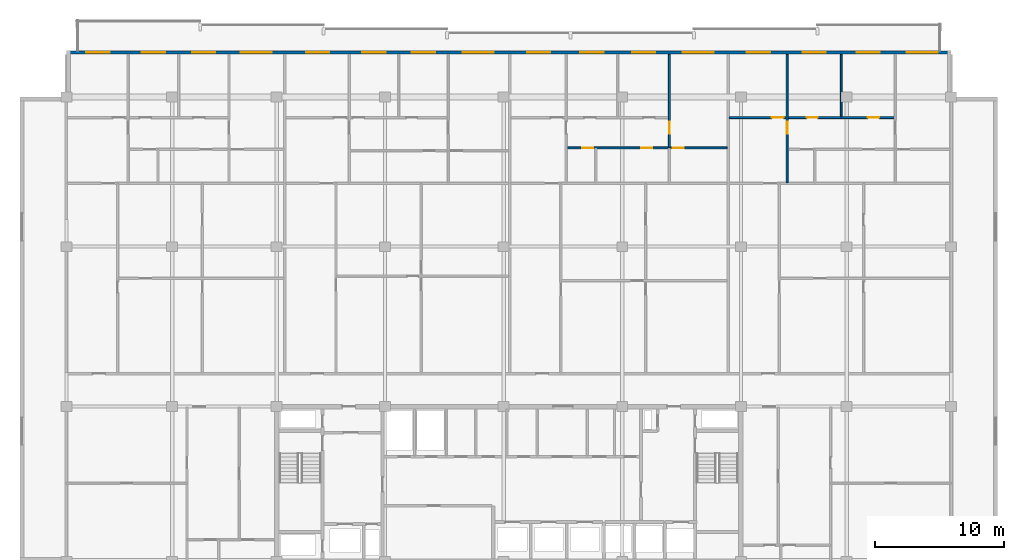
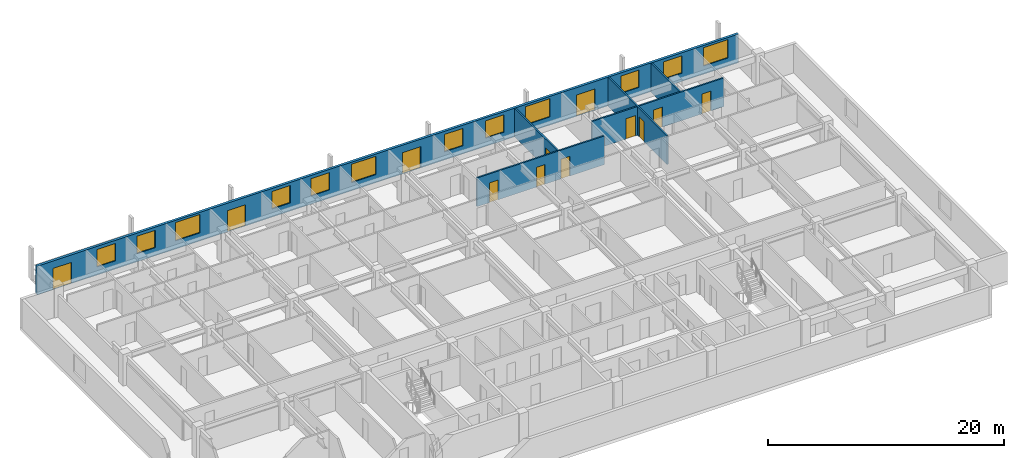
# One storey, part 16 of 23: 12 doors, 12 windows, 6 walls, 24 openings.
"""IFC4 building model written with IfcOpenShell, lengths in metres."""

import ifcopenshell
import ifcopenshell.guid

model = None  # the IFC model being written
_history = None  # IfcOwnerHistory: only IFC2X3 demands one
_inside = {}  # id of a spatial element -> (the spatial element, [elements in it])
_under = {}  # id of a project, library or spatial element -> (it, [spatial elements below it])
_declared = {}  # id of a project -> (the project, [libraries it declares])
_typed = {}  # id of a type object -> (the type object, [elements of that type])
_made_of = {}  # id of a material, layer set ... -> (it, [elements and type objects made of it])


def new_model(schema):
    """Start an empty IFC model of exactly this schema.

    Asked for "IFC4X3", IfcOpenShell would pick the latest addendum, in which some entities
    have other attributes; the version numbers below select the first issue.
    IFC2X3 requires an IfcOwnerHistory on every rooted entity: one is made here for all.
    """
    global model, _history
    if schema == "IFC4X3":
        model = ifcopenshell.file(schema_version=(4, 3, 0, 0))
    else:
        model = ifcopenshell.file(schema=schema)
    _inside.clear()
    _under.clear()
    _declared.clear()
    _typed.clear()
    _made_of.clear()
    _history = None
    if model.schema == "IFC2X3":
        org = make("IfcOrganization", Name="unknown")
        user = make(
            "IfcPersonAndOrganization",
            ThePerson=make("IfcPerson", FamilyName="unknown"),
            TheOrganization=org,
        )
        app = make(
            "IfcApplication",
            ApplicationDeveloper=org,
            Version="unknown",
            ApplicationFullName="unknown",
            ApplicationIdentifier="unknown",
        )
        _history = make(
            "IfcOwnerHistory",
            OwningUser=user,
            OwningApplication=app,
            ChangeAction="ADDED",
            CreationDate=0,
        )
    return model


def make(cls, **values):
    """One entity of the class cls with the attributes given. An attribute that is None is left unset."""
    return model.create_entity(
        cls, **{name: value for name, value in values.items() if value is not None}
    )


def rooted(cls, **values):
    """An entity with a GlobalId (a new one), such as an element, a storey or a relation."""
    return make(cls, GlobalId=ifcopenshell.guid.new(), OwnerHistory=_history, **values)


def si_unit(unit_type, name, prefix=None):
    """IfcSIUnit, for example si_unit("LENGTHUNIT", "METRE", prefix="MILLI")."""
    return make("IfcSIUnit", UnitType=unit_type, Prefix=prefix, Name=name)


def assignment(units):
    """IfcUnitAssignment: the units of a project."""
    return None if units is None else make("IfcUnitAssignment", Units=units)


def point(xyz):
    """IfcCartesianPoint."""
    return None if xyz is None else make("IfcCartesianPoint", Coordinates=xyz)


def direction(xyz):
    """IfcDirection."""
    return None if xyz is None else make("IfcDirection", DirectionRatios=xyz)


def frame(location, z_axis=None, x_axis=None):
    """IfcAxis2Placement3D, a coordinate frame: its origin and axes. An axis left out is left unset."""
    return make(
        "IfcAxis2Placement3D",
        Location=point(location),
        Axis=direction(z_axis),
        RefDirection=direction(x_axis),
    )


def frame_2d(location, x_axis=None):
    """IfcAxis2Placement2D, a coordinate frame in the plane: its origin and x axis."""
    return make(
        "IfcAxis2Placement2D", Location=point(location), RefDirection=direction(x_axis)
    )


def origin():
    """The frame at (0, 0, 0) with its axes left unset."""
    return frame((0.0, 0.0, 0.0))


def place(relative_to, where):
    """IfcLocalPlacement: puts the frame where relative to a parent placement (None: the world)."""
    return make(
        "IfcLocalPlacement", PlacementRelTo=relative_to, RelativePlacement=where
    )


def context(
    kind, dimensions, precision=None, world=None, true_north=None, identifier=None
):
    """IfcGeometricRepresentationContext, for example the 3D "Model" context."""
    return make(
        "IfcGeometricRepresentationContext",
        ContextIdentifier=identifier,
        ContextType=kind,
        CoordinateSpaceDimension=dimensions,
        Precision=precision,
        WorldCoordinateSystem=world,
        TrueNorth=true_north,
    )


def subcontext(parent, identifier, kind, view, scale=None):
    """IfcGeometricRepresentationSubContext, for example "Body" below "Model"."""
    return make(
        "IfcGeometricRepresentationSubContext",
        ContextIdentifier=identifier,
        ContextType=kind,
        ParentContext=parent,
        TargetScale=scale,
        TargetView=view,
    )


def project(units=None, contexts=None):
    """IfcProject with its units and contexts."""
    return rooted(
        "IfcProject",
        Name="project",
        RepresentationContexts=contexts,
        UnitsInContext=assignment(units),
    )


def spatial(cls, under=None, at=None, **own):
    """A site, building, storey or space (cls), placed at a placement, below another one or the project."""
    s = rooted(cls, ObjectPlacement=at, **own)
    if under is not None:
        _under.setdefault(under.id(), (under, []))[1].append(s)
    return s


def profile(cls, at=None, kind="AREA", **sizes):
    """A parametric profile (cls). Its sizes go by their IFC names, for example OverallWidth=200.0."""
    return make(cls, ProfileType=kind, Position=at, **sizes)


def rectangle(**sizes):
    """IfcRectangleProfileDef."""
    return profile("IfcRectangleProfileDef", **sizes)


def extrude(swept, where, along, depth):
    """IfcExtrudedAreaSolid: the profile swept, set in the frame where, extruded along a direction by depth."""
    return make(
        "IfcExtrudedAreaSolid",
        SweptArea=swept,
        Position=where,
        ExtrudedDirection=direction(along),
        Depth=depth,
    )


def shape(context_of_items, identifier, shape_type, items):
    """IfcShapeRepresentation: the items that make up one representation, for example the "Body"."""
    return make(
        "IfcShapeRepresentation",
        ContextOfItems=context_of_items,
        RepresentationIdentifier=identifier,
        RepresentationType=shape_type,
        Items=items,
    )


def material(Name=None, Category=None):
    """IfcMaterial."""
    return make("IfcMaterial", Name=Name, Category=Category)


def layer(
    of_material, thickness, ventilated=None, Name=None, Category=None, Priority=None
):
    """IfcMaterialLayer: one layer of a wall or slab, of a material (None: an air gap)."""
    return make(
        "IfcMaterialLayer",
        Material=of_material,
        LayerThickness=thickness,
        IsVentilated=ventilated,
        Name=Name,
        Category=Category,
        Priority=Priority,
    )


def layer_set(layers, Name=None):
    """IfcMaterialLayerSet."""
    return make("IfcMaterialLayerSet", MaterialLayers=layers, LayerSetName=Name)


def made_of(thing, what):
    """Note that an element or type object is made of a material, layer set ...; save() writes the relation."""
    if what is not None:
        _made_of.setdefault(what.id(), (what, []))[1].append(thing)
    return thing


def type_object(cls, material=None, **own):
    """A type object (cls), such as IfcWallType, which elements share."""
    return made_of(rooted(cls, **own), material)


def element(
    cls,
    number,
    at=None,
    inside=None,
    cuts=None,
    type_object=None,
    material=None,
    context=None,
    identifier="Body",
    shape_type=None,
    held_by="IfcProductDefinitionShape",
    body=None,
    shapes=None,
    **own,
):
    """One element of the class cls, such as IfcWall. Its Tag is "e" and its number.

    at: its placement. inside: the storey or other place that contains it. cuts: it is an
    opening in that element (IfcRelVoidsElement). A single representation is given by context,
    identifier, shape_type and body (its items); several are given by shapes. held_by: the class
    of the entity that holds the representations. save() writes the other relations.
    """
    e = rooted(cls, Tag="e%d" % number, ObjectPlacement=at, **own)
    if body is not None:
        shapes = [shape(context, identifier, shape_type, body)]
    if shapes is not None:
        e.Representation = make(held_by, Representations=shapes)
    if inside is not None:
        _inside.setdefault(inside.id(), (inside, []))[1].append(e)
    if cuts is not None:
        rooted(
            "IfcRelVoidsElement", RelatingBuildingElement=cuts, RelatedOpeningElement=e
        )
    if type_object is not None:
        _typed.setdefault(type_object.id(), (type_object, []))[1].append(e)
    return made_of(e, material)


def fill(opening, filler):
    """IfcRelFillsElement: the door or window that sits in an opening."""
    return rooted(
        "IfcRelFillsElement",
        RelatingOpeningElement=opening,
        RelatedBuildingElement=filler,
    )


def aggregate(whole, parts):
    """IfcRelAggregates: a whole, such as a stair, and the parts it consists of."""
    return rooted("IfcRelAggregates", RelatingObject=whole, RelatedObjects=parts)


def save(model, path):
    """Write the relations noted so far, then the file.

    IfcRelAggregates (storeys below a building ...), IfcRelContainedInSpatialStructure (elements
    in a storey), IfcRelDefinesByType, IfcRelAssociatesMaterial and IfcRelDeclares: one each for
    every whole, place, type object, material and project.
    """
    for whole, parts in _under.values():
        aggregate(whole, parts)
    for where, things in _inside.values():
        rooted(
            "IfcRelContainedInSpatialStructure",
            RelatedElements=things,
            RelatingStructure=where,
        )
    for kind, things in _typed.values():
        rooted("IfcRelDefinesByType", RelatedObjects=things, RelatingType=kind)
    for what, things in _made_of.values():
        rooted("IfcRelAssociatesMaterial", RelatedObjects=things, RelatingMaterial=what)
    for by, libraries in _declared.values():
        rooted("IfcRelDeclares", RelatingContext=by, RelatedDefinitions=libraries)
    model.write(path)


model = new_model("IFC4")

# Units and contexts
model_context = context("Model", 3, precision=1e-05, world=origin(), true_north=direction((0.0, 1.0)))
body_context = subcontext(model_context, "Body", "Model", "MODEL_VIEW")
ifc_project = project(units=[si_unit("LENGTHUNIT", "METRE"), si_unit("AREAUNIT", "SQUARE_METRE"), si_unit("VOLUMEUNIT", "CUBIC_METRE"), si_unit("PLANEANGLEUNIT", "RADIAN"), si_unit("MASSUNIT", "GRAM", prefix="KILO")], contexts=[model_context])

# Site, building, storey
site_placement = place(None, origin())
site = spatial("IfcSite", under=ifc_project, at=site_placement, CompositionType="ELEMENT")
building_placement = place(site_placement, origin())
building = spatial("IfcBuilding", under=site, at=building_placement, Name="Korimba Cascade Residences", CompositionType="ELEMENT")
storey_placement = place(building_placement, frame((0.0, 0.0, 162.10009765625)))
storey = spatial("IfcBuildingStorey", under=building, at=storey_placement, Name="L46", CompositionType="ELEMENT", Elevation=162.10009765625)

# Wall, openings, doors, windows
ifc_material_1 = material(Name="Precast concrete C40/50", Category="concrete")
ifc_layer_1 = layer(ifc_material_1, 0.25)
ifc_layer_set_1 = layer_set([ifc_layer_1], Name="Precast concrete C40/50")
wall_type_1 = type_object("IfcWallType", Name="EW-LOG-250", PredefinedType="STANDARD", material=ifc_layer_set_1)
wall_1_placement = place(storey_placement, frame((128.39990234375, 94.64990234375, 0.0), z_axis=(0.0, 0.0, 1.0), x_axis=(-1.0, 0.0, 0.0)))
wall_1 = element("IfcWall", 1, at=wall_1_placement, inside=storey, type_object=wall_type_1, Name="L46 T1 Perimeter Stone Wall E06", PredefinedType="STANDARD", context=body_context, shape_type="SweptSolid", body=[
    extrude(rectangle(XDim=68.599853515625, YDim=0.25, at=frame_2d((34.2998046875, 0.0))), origin(), (0.0, 0.0, 1.0), 2.969970703125),
])
opening_1_placement = place(wall_1_placement, frame((60.956298828125, 0.0, 0.85009765625)))
opening_1 = element("IfcOpeningElement", 2, at=opening_1_placement, cuts=wall_1, Name="Opening W-02", PredefinedType="OPENING", context=body_context, shape_type="SweptSolid", body=[
    extrude(rectangle(XDim=1.800048828125, YDim=1.800048828125, at=frame_2d((0.89990234375, 0.89990234375))), frame((0.0, 0.135009765625, 0.0), z_axis=(0.0, -1.0, 0.0), x_axis=(1.0, 0.0, 0.0)), (0.0, 0.0, 1.0), 0.27001953125),
])
opening_2_placement = place(wall_1_placement, frame((57.048583984375, 0.0, 0.85009765625)))
opening_2 = element("IfcOpeningElement", 3, at=opening_2_placement, cuts=wall_1, Name="Opening W-02", PredefinedType="OPENING", context=body_context, shape_type="SweptSolid", body=[
    extrude(rectangle(XDim=1.800048828125, YDim=1.800048828125, at=frame_2d((0.89990234375, 0.89990234375))), frame((0.0, 0.135009765625, 0.0), z_axis=(0.0, -1.0, 0.0), x_axis=(1.0, 0.0, 0.0)), (0.0, 0.0, 1.0), 0.27001953125),
])
opening_3_placement = place(wall_1_placement, frame((65.2451171875, 0.0, 0.0)))
opening_3 = element("IfcOpeningElement", 4, at=opening_3_placement, cuts=wall_1, Name="Opening D-LG1", PredefinedType="OPENING", context=body_context, shape_type="SweptSolid", body=[
    extrude(rectangle(XDim=1.800048828125, YDim=2.199951171875, at=frame_2d((0.89990234375, 1.10009765625))), frame((0.0, 0.135009765625, 0.0), z_axis=(0.0, -1.0, 0.0), x_axis=(1.0, 0.0, 0.0)), (0.0, 0.0, 1.0), 0.27001953125),
])
opening_4_placement = place(wall_1_placement, frame((52.68994140625, 0.0, 0.85009765625)))
opening_4 = element("IfcOpeningElement", 5, at=opening_4_placement, cuts=wall_1, Name="Opening W-01", PredefinedType="OPENING", context=body_context, shape_type="SweptSolid", body=[
    extrude(rectangle(XDim=2.39990234375, YDim=1.89990234375, at=frame_2d((1.199951171875, 0.949951171875))), frame((0.0, 0.135009765625, 0.0), z_axis=(0.0, -1.0, 0.0), x_axis=(1.0, 0.0, 0.0)), (0.0, 0.0, 1.0), 0.27001953125),
])
opening_5_placement = place(wall_1_placement, frame((43.847412109375, 0.0, 0.85009765625)))
opening_5 = element("IfcOpeningElement", 6, at=opening_5_placement, cuts=wall_1, Name="Opening W-02", PredefinedType="OPENING", context=body_context, shape_type="SweptSolid", body=[
    extrude(rectangle(XDim=1.800048828125, YDim=1.800048828125, at=frame_2d((0.89990234375, 0.89990234375))), frame((0.0, 0.135009765625, 0.0), z_axis=(0.0, -1.0, 0.0), x_axis=(1.0, 0.0, 0.0)), (0.0, 0.0, 1.0), 0.27001953125),
])
opening_6_placement = place(wall_1_placement, frame((40.012451171875, 0.0, 0.85009765625)))
opening_6 = element("IfcOpeningElement", 7, at=opening_6_placement, cuts=wall_1, Name="Opening W-02", PredefinedType="OPENING", context=body_context, shape_type="SweptSolid", body=[
    extrude(rectangle(XDim=1.800048828125, YDim=1.800048828125, at=frame_2d((0.89990234375, 0.89990234375))), frame((0.0, 0.135009765625, 0.0), z_axis=(0.0, -1.0, 0.0), x_axis=(1.0, 0.0, 0.0)), (0.0, 0.0, 1.0), 0.27001953125),
])
opening_7_placement = place(wall_1_placement, frame((48.204833984375, 0.0, 0.0)))
opening_7 = element("IfcOpeningElement", 8, at=opening_7_placement, cuts=wall_1, Name="Opening D-LG1", PredefinedType="OPENING", context=body_context, shape_type="SweptSolid", body=[
    extrude(rectangle(XDim=1.800048828125, YDim=2.199951171875, at=frame_2d((0.89990234375, 1.10009765625))), frame((0.0, 0.135009765625, 0.0), z_axis=(0.0, -1.0, 0.0), x_axis=(1.0, 0.0, 0.0)), (0.0, 0.0, 1.0), 0.27001953125),
])
opening_8_placement = place(wall_1_placement, frame((35.469970703125, 0.0, 0.85009765625)))
opening_8 = element("IfcOpeningElement", 9, at=opening_8_placement, cuts=wall_1, Name="Opening W-01", PredefinedType="OPENING", context=body_context, shape_type="SweptSolid", body=[
    extrude(rectangle(XDim=2.39990234375, YDim=1.89990234375, at=frame_2d((1.199951171875, 0.949951171875))), frame((0.0, 0.135009765625, 0.0), z_axis=(0.0, -1.0, 0.0), x_axis=(1.0, 0.0, 0.0)), (0.0, 0.0, 1.0), 0.27001953125),
])
opening_9_placement = place(wall_1_placement, frame((26.951416015625, 0.0, 0.85009765625)))
opening_9 = element("IfcOpeningElement", 10, at=opening_9_placement, cuts=wall_1, Name="Opening W-02", PredefinedType="OPENING", context=body_context, shape_type="SweptSolid", body=[
    extrude(rectangle(XDim=1.800048828125, YDim=1.800048828125, at=frame_2d((0.89990234375, 0.89990234375))), frame((0.0, 0.135009765625, 0.0), z_axis=(0.0, -1.0, 0.0), x_axis=(1.0, 0.0, 0.0)), (0.0, 0.0, 1.0), 0.27001953125),
])
opening_10_placement = place(wall_1_placement, frame((22.943603515625, 0.0, 0.85009765625)))
opening_10 = element("IfcOpeningElement", 11, at=opening_10_placement, cuts=wall_1, Name="Opening W-02", PredefinedType="OPENING", context=body_context, shape_type="SweptSolid", body=[
    extrude(rectangle(XDim=1.800048828125, YDim=1.800048828125, at=frame_2d((0.89990234375, 0.89990234375))), frame((0.0, 0.135009765625, 0.0), z_axis=(0.0, -1.0, 0.0), x_axis=(1.0, 0.0, 0.0)), (0.0, 0.0, 1.0), 0.27001953125),
])
opening_11_placement = place(wall_1_placement, frame((31.080078125, 0.0, 0.0)))
opening_11 = element("IfcOpeningElement", 12, at=opening_11_placement, cuts=wall_1, Name="Opening D-LG1", PredefinedType="OPENING", context=body_context, shape_type="SweptSolid", body=[
    extrude(rectangle(XDim=1.800048828125, YDim=2.199951171875, at=frame_2d((0.89990234375, 1.10009765625))), frame((0.0, 0.135009765625, 0.0), z_axis=(0.0, -1.0, 0.0), x_axis=(1.0, 0.0, 0.0)), (0.0, 0.0, 1.0), 0.27001953125),
])
opening_12_placement = place(wall_1_placement, frame((18.4248046875, 0.0, 0.85009765625)))
opening_12 = element("IfcOpeningElement", 13, at=opening_12_placement, cuts=wall_1, Name="Opening W-01", PredefinedType="OPENING", context=body_context, shape_type="SweptSolid", body=[
    extrude(rectangle(XDim=2.39990234375, YDim=1.89990234375, at=frame_2d((1.199951171875, 0.949951171875))), frame((0.0, 0.135009765625, 0.0), z_axis=(0.0, -1.0, 0.0), x_axis=(1.0, 0.0, 0.0)), (0.0, 0.0, 1.0), 0.27001953125),
])
opening_13_placement = place(wall_1_placement, frame((9.715087890625, 0.0, 0.85009765625)))
opening_13 = element("IfcOpeningElement", 14, at=opening_13_placement, cuts=wall_1, Name="Opening W-02", PredefinedType="OPENING", context=body_context, shape_type="SweptSolid", body=[
    extrude(rectangle(XDim=1.800048828125, YDim=1.800048828125, at=frame_2d((0.89990234375, 0.89990234375))), frame((0.0, 0.135009765625, 0.0), z_axis=(0.0, -1.0, 0.0), x_axis=(1.0, 0.0, 0.0)), (0.0, 0.0, 1.0), 0.27001953125),
])
opening_14_placement = place(wall_1_placement, frame((5.52490234375, 0.0, 0.85009765625)))
opening_14 = element("IfcOpeningElement", 15, at=opening_14_placement, cuts=wall_1, Name="Opening W-02", PredefinedType="OPENING", context=body_context, shape_type="SweptSolid", body=[
    extrude(rectangle(XDim=1.800048828125, YDim=1.800048828125, at=frame_2d((0.89990234375, 0.89990234375))), frame((0.0, 0.135009765625, 0.0), z_axis=(0.0, -1.0, 0.0), x_axis=(1.0, 0.0, 0.0)), (0.0, 0.0, 1.0), 0.27001953125),
])
opening_15_placement = place(wall_1_placement, frame((14.039794921875, 0.0, 0.0)))
opening_15 = element("IfcOpeningElement", 16, at=opening_15_placement, cuts=wall_1, Name="Opening D-LG1", PredefinedType="OPENING", context=body_context, shape_type="SweptSolid", body=[
    extrude(rectangle(XDim=1.800048828125, YDim=2.199951171875, at=frame_2d((0.89990234375, 1.10009765625))), frame((0.0, 0.135009765625, 0.0), z_axis=(0.0, -1.0, 0.0), x_axis=(1.0, 0.0, 0.0)), (0.0, 0.0, 1.0), 0.27001953125),
])
opening_16_placement = place(wall_1_placement, frame((1.02490234375, 0.0, 0.85009765625)))
opening_16 = element("IfcOpeningElement", 17, at=opening_16_placement, cuts=wall_1, Name="Opening W-01", PredefinedType="OPENING", context=body_context, shape_type="SweptSolid", body=[
    extrude(rectangle(XDim=2.39990234375, YDim=1.89990234375, at=frame_2d((1.199951171875, 0.949951171875))), frame((0.0, 0.135009765625, 0.0), z_axis=(0.0, -1.0, 0.0), x_axis=(1.0, 0.0, 0.0)), (0.0, 0.0, 1.0), 0.27001953125),
])
ifc_material_2 = material(Name="Glazed Aluminium Loggia Sliding Door", Category="aluminium")
door_type_1 = type_object("IfcDoorType", Name="DR-EXT-LOG", OperationType="NOTDEFINED", PredefinedType="DOOR", material=ifc_material_2)
door_1_placement = place(opening_3_placement, origin())
door_1 = element("IfcDoor", 18, at=door_1_placement, inside=storey, type_object=door_type_1, Name="L46 T1 Loggia Sliding Door 5", OperationType="SLIDING_TO_LEFT", OverallHeight=2.199951171875, OverallWidth=1.800048828125, PredefinedType="DOOR", context=body_context, shape_type="SweptSolid", body=[
    extrude(rectangle(XDim=1.800048828125, YDim=2.199951171875, at=frame_2d((0.89990234375, 1.10009765625))), frame((0.0, 0.02490234375, 0.0), z_axis=(0.0, -1.0, 0.0), x_axis=(1.0, 0.0, 0.0)), (0.0, 0.0, 1.0), 0.050048828125),
])
fill(opening_3, door_1)
door_2_placement = place(opening_7_placement, origin())
door_2 = element("IfcDoor", 19, at=door_2_placement, inside=storey, type_object=door_type_1, Name="L46 T1 Loggia Sliding Door 9", OperationType="SLIDING_TO_LEFT", OverallHeight=2.199951171875, OverallWidth=1.800048828125, PredefinedType="DOOR", context=body_context, shape_type="SweptSolid", body=[
    extrude(rectangle(XDim=1.800048828125, YDim=2.199951171875, at=frame_2d((0.89990234375, 1.10009765625))), frame((0.0, 0.02490234375, 0.0), z_axis=(0.0, -1.0, 0.0), x_axis=(1.0, 0.0, 0.0)), (0.0, 0.0, 1.0), 0.050048828125),
])
fill(opening_7, door_2)
door_3_placement = place(opening_11_placement, origin())
door_3 = element("IfcDoor", 20, at=door_3_placement, inside=storey, type_object=door_type_1, Name="L46 T1 Loggia Sliding Door 13", OperationType="SLIDING_TO_LEFT", OverallHeight=2.199951171875, OverallWidth=1.800048828125, PredefinedType="DOOR", context=body_context, shape_type="SweptSolid", body=[
    extrude(rectangle(XDim=1.800048828125, YDim=2.199951171875, at=frame_2d((0.89990234375, 1.10009765625))), frame((0.0, 0.02490234375, 0.0), z_axis=(0.0, -1.0, 0.0), x_axis=(1.0, 0.0, 0.0)), (0.0, 0.0, 1.0), 0.050048828125),
])
fill(opening_11, door_3)
door_4_placement = place(opening_15_placement, origin())
door_4 = element("IfcDoor", 21, at=door_4_placement, inside=storey, type_object=door_type_1, Name="L46 T1 Loggia Sliding Door 17", OperationType="SLIDING_TO_LEFT", OverallHeight=2.199951171875, OverallWidth=1.800048828125, PredefinedType="DOOR", context=body_context, shape_type="SweptSolid", body=[
    extrude(rectangle(XDim=1.800048828125, YDim=2.199951171875, at=frame_2d((0.89990234375, 1.10009765625))), frame((0.0, 0.02490234375, 0.0), z_axis=(0.0, -1.0, 0.0), x_axis=(1.0, 0.0, 0.0)), (0.0, 0.0, 1.0), 0.050048828125),
])
fill(opening_15, door_4)
ifc_material_3 = material(Name="Double-Glazed Aluminium Window", Category="aluminium")
window_type_1 = type_object("IfcWindowType", Name="WIN-BED-1800", PartitioningType="SINGLE_PANEL", PredefinedType="WINDOW", material=ifc_material_3)
window_1_placement = place(opening_1_placement, origin())
window_1 = element("IfcWindow", 22, at=window_1_placement, inside=storey, type_object=window_type_1, Name="L46 T1 North Facade Window 3", OverallHeight=1.800048828125, OverallWidth=1.800048828125, PartitioningType="SINGLE_PANEL", PredefinedType="WINDOW", context=body_context, shape_type="SweptSolid", body=[
    extrude(rectangle(XDim=1.800048828125, YDim=1.800048828125, at=frame_2d((0.89990234375, 0.89990234375))), frame((0.0, 0.030029296875, 0.0), z_axis=(0.0, -1.0, 0.0), x_axis=(1.0, 0.0, 0.0)), (0.0, 0.0, 1.0), 0.06005859375),
])
fill(opening_1, window_1)
window_2_placement = place(opening_2_placement, origin())
window_2 = element("IfcWindow", 23, at=window_2_placement, inside=storey, type_object=window_type_1, Name="L46 T1 North Facade Window 4", OverallHeight=1.800048828125, OverallWidth=1.800048828125, PartitioningType="SINGLE_PANEL", PredefinedType="WINDOW", context=body_context, shape_type="SweptSolid", body=[
    extrude(rectangle(XDim=1.800048828125, YDim=1.800048828125, at=frame_2d((0.89990234375, 0.89990234375))), frame((0.0, 0.030029296875, 0.0), z_axis=(0.0, -1.0, 0.0), x_axis=(1.0, 0.0, 0.0)), (0.0, 0.0, 1.0), 0.06005859375),
])
fill(opening_2, window_2)
window_3_placement = place(opening_5_placement, origin())
window_3 = element("IfcWindow", 24, at=window_3_placement, inside=storey, type_object=window_type_1, Name="L46 T1 North Facade Window 7", OverallHeight=1.800048828125, OverallWidth=1.800048828125, PartitioningType="SINGLE_PANEL", PredefinedType="WINDOW", context=body_context, shape_type="SweptSolid", body=[
    extrude(rectangle(XDim=1.800048828125, YDim=1.800048828125, at=frame_2d((0.89990234375, 0.89990234375))), frame((0.0, 0.030029296875, 0.0), z_axis=(0.0, -1.0, 0.0), x_axis=(1.0, 0.0, 0.0)), (0.0, 0.0, 1.0), 0.06005859375),
])
fill(opening_5, window_3)
window_4_placement = place(opening_6_placement, origin())
window_4 = element("IfcWindow", 25, at=window_4_placement, inside=storey, type_object=window_type_1, Name="L46 T1 North Facade Window 8", OverallHeight=1.800048828125, OverallWidth=1.800048828125, PartitioningType="SINGLE_PANEL", PredefinedType="WINDOW", context=body_context, shape_type="SweptSolid", body=[
    extrude(rectangle(XDim=1.800048828125, YDim=1.800048828125, at=frame_2d((0.89990234375, 0.89990234375))), frame((0.0, 0.030029296875, 0.0), z_axis=(0.0, -1.0, 0.0), x_axis=(1.0, 0.0, 0.0)), (0.0, 0.0, 1.0), 0.06005859375),
])
fill(opening_6, window_4)
window_5_placement = place(opening_9_placement, origin())
window_5 = element("IfcWindow", 26, at=window_5_placement, inside=storey, type_object=window_type_1, Name="L46 T1 North Facade Window 11", OverallHeight=1.800048828125, OverallWidth=1.800048828125, PartitioningType="SINGLE_PANEL", PredefinedType="WINDOW", context=body_context, shape_type="SweptSolid", body=[
    extrude(rectangle(XDim=1.800048828125, YDim=1.800048828125, at=frame_2d((0.89990234375, 0.89990234375))), frame((0.0, 0.030029296875, 0.0), z_axis=(0.0, -1.0, 0.0), x_axis=(1.0, 0.0, 0.0)), (0.0, 0.0, 1.0), 0.06005859375),
])
fill(opening_9, window_5)
window_6_placement = place(opening_10_placement, origin())
window_6 = element("IfcWindow", 27, at=window_6_placement, inside=storey, type_object=window_type_1, Name="L46 T1 North Facade Window 12", OverallHeight=1.800048828125, OverallWidth=1.800048828125, PartitioningType="SINGLE_PANEL", PredefinedType="WINDOW", context=body_context, shape_type="SweptSolid", body=[
    extrude(rectangle(XDim=1.800048828125, YDim=1.800048828125, at=frame_2d((0.89990234375, 0.89990234375))), frame((0.0, 0.030029296875, 0.0), z_axis=(0.0, -1.0, 0.0), x_axis=(1.0, 0.0, 0.0)), (0.0, 0.0, 1.0), 0.06005859375),
])
fill(opening_10, window_6)
window_7_placement = place(opening_13_placement, origin())
window_7 = element("IfcWindow", 28, at=window_7_placement, inside=storey, type_object=window_type_1, Name="L46 T1 North Facade Window 15", OverallHeight=1.800048828125, OverallWidth=1.800048828125, PartitioningType="SINGLE_PANEL", PredefinedType="WINDOW", context=body_context, shape_type="SweptSolid", body=[
    extrude(rectangle(XDim=1.800048828125, YDim=1.800048828125, at=frame_2d((0.89990234375, 0.89990234375))), frame((0.0, 0.030029296875, 0.0), z_axis=(0.0, -1.0, 0.0), x_axis=(1.0, 0.0, 0.0)), (0.0, 0.0, 1.0), 0.06005859375),
])
fill(opening_13, window_7)
window_8_placement = place(opening_14_placement, origin())
window_8 = element("IfcWindow", 29, at=window_8_placement, inside=storey, type_object=window_type_1, Name="L46 T1 North Facade Window 16", OverallHeight=1.800048828125, OverallWidth=1.800048828125, PartitioningType="SINGLE_PANEL", PredefinedType="WINDOW", context=body_context, shape_type="SweptSolid", body=[
    extrude(rectangle(XDim=1.800048828125, YDim=1.800048828125, at=frame_2d((0.89990234375, 0.89990234375))), frame((0.0, 0.030029296875, 0.0), z_axis=(0.0, -1.0, 0.0), x_axis=(1.0, 0.0, 0.0)), (0.0, 0.0, 1.0), 0.06005859375),
])
fill(opening_14, window_8)
window_type_2 = type_object("IfcWindowType", Name="WIN-RES-2400", PartitioningType="DOUBLE_PANEL_VERTICAL", PredefinedType="WINDOW", material=ifc_material_3)
window_9_placement = place(opening_4_placement, origin())
window_9 = element("IfcWindow", 30, at=window_9_placement, inside=storey, type_object=window_type_2, Name="L46 T1 North Facade Window 6", OverallHeight=1.89990234375, OverallWidth=2.39990234375, PartitioningType="DOUBLE_PANEL_VERTICAL", PredefinedType="WINDOW", context=body_context, shape_type="SweptSolid", body=[
    extrude(rectangle(XDim=2.39990234375, YDim=1.89990234375, at=frame_2d((1.199951171875, 0.949951171875))), frame((0.0, 0.030029296875, 0.0), z_axis=(0.0, -1.0, 0.0), x_axis=(1.0, 0.0, 0.0)), (0.0, 0.0, 1.0), 0.06005859375),
])
fill(opening_4, window_9)
window_10_placement = place(opening_8_placement, origin())
window_10 = element("IfcWindow", 31, at=window_10_placement, inside=storey, type_object=window_type_2, Name="L46 T1 North Facade Window 10", OverallHeight=1.89990234375, OverallWidth=2.39990234375, PartitioningType="DOUBLE_PANEL_VERTICAL", PredefinedType="WINDOW", context=body_context, shape_type="SweptSolid", body=[
    extrude(rectangle(XDim=2.39990234375, YDim=1.89990234375, at=frame_2d((1.199951171875, 0.949951171875))), frame((0.0, 0.030029296875, 0.0), z_axis=(0.0, -1.0, 0.0), x_axis=(1.0, 0.0, 0.0)), (0.0, 0.0, 1.0), 0.06005859375),
])
fill(opening_8, window_10)
window_11_placement = place(opening_12_placement, origin())
window_11 = element("IfcWindow", 32, at=window_11_placement, inside=storey, type_object=window_type_2, Name="L46 T1 North Facade Window 14", OverallHeight=1.89990234375, OverallWidth=2.39990234375, PartitioningType="DOUBLE_PANEL_VERTICAL", PredefinedType="WINDOW", context=body_context, shape_type="SweptSolid", body=[
    extrude(rectangle(XDim=2.39990234375, YDim=1.89990234375, at=frame_2d((1.199951171875, 0.949951171875))), frame((0.0, 0.030029296875, 0.0), z_axis=(0.0, -1.0, 0.0), x_axis=(1.0, 0.0, 0.0)), (0.0, 0.0, 1.0), 0.06005859375),
])
fill(opening_12, window_11)
window_12_placement = place(opening_16_placement, origin())
window_12 = element("IfcWindow", 33, at=window_12_placement, inside=storey, type_object=window_type_2, Name="L46 T1 North Facade Window 18", OverallHeight=1.89990234375, OverallWidth=2.39990234375, PartitioningType="DOUBLE_PANEL_VERTICAL", PredefinedType="WINDOW", context=body_context, shape_type="SweptSolid", body=[
    extrude(rectangle(XDim=2.39990234375, YDim=1.89990234375, at=frame_2d((1.199951171875, 0.949951171875))), frame((0.0, 0.030029296875, 0.0), z_axis=(0.0, -1.0, 0.0), x_axis=(1.0, 0.0, 0.0)), (0.0, 0.0, 1.0), 0.06005859375),
])
fill(opening_16, window_12)

# Wall, opening, door
ifc_material_4 = material(Name="Insulated Acoustic Stud Partition", Category="gypsum")
ifc_layer_2 = layer(ifc_material_4, 0.14990234375)
ifc_layer_set_2 = layer_set([ifc_layer_2], Name="Insulated Acoustic Stud Partition")
wall_type_2 = type_object("IfcWallType", Name="WAL-PART-150", PredefinedType="PARTITIONING", material=ifc_layer_set_2)
wall_2_placement = place(storey_placement, frame((106.56005859375, 87.27001953125, 0.0), z_axis=(0.0, 0.0, 1.0), x_axis=(0.0, 1.0, 0.0)))
wall_2 = element("IfcWall", 34, at=wall_2_placement, inside=storey, type_object=wall_type_2, Name="L46 Partition Wall WAL-L46-T1-U03-V2FULL", PredefinedType="PARTITIONING", context=body_context, shape_type="SweptSolid", body=[
    extrude(rectangle(XDim=7.22998046875, YDim=0.14990234375, at=frame_2d((3.614990234375, 0.0))), origin(), (0.0, 0.0, 1.0), 2.969970703125),
])
opening_17_placement = place(wall_2_placement, frame((1.090087890625, 0.0, 0.0)))
opening_17 = element("IfcOpeningElement", 35, at=opening_17_placement, cuts=wall_2, Name="Opening D-IN1", PredefinedType="OPENING", context=body_context, shape_type="SweptSolid", body=[
    extrude(rectangle(XDim=0.919921875, YDim=2.080078125, at=frame_2d((0.4599609375, 1.0400390625))), frame((0.0, 0.0849609375, 0.0), z_axis=(0.0, -1.0, 0.0), x_axis=(1.0, 0.0, 0.0)), (0.0, 0.0, 1.0), 0.169921875),
])
ifc_material_5 = material(Name="Acoustic Timber Living Door", Category="wood")
door_type_2 = type_object("IfcDoorType", Name="DR-INT-920", OperationType="NOTDEFINED", PredefinedType="DOOR", material=ifc_material_5)
door_5_placement = place(opening_17_placement, origin())
door_5 = element("IfcDoor", 36, at=door_5_placement, inside=storey, type_object=door_type_2, Name="L46-T1-U03 Master Bedroom Door", OperationType="SINGLE_SWING_RIGHT", OverallHeight=2.080078125, OverallWidth=0.919921875, PredefinedType="DOOR", context=body_context, shape_type="SweptSolid", body=[
    extrude(rectangle(XDim=0.919921875, YDim=2.080078125, at=frame_2d((0.4599609375, 1.0400390625))), frame((0.0, 0.02490234375, 0.0), z_axis=(0.0, -1.0, 0.0), x_axis=(1.0, 0.0, 0.0)), (0.0, 0.0, 1.0), 0.050048828125),
])
fill(opening_17, door_5)

# Wall, openings, doors
wall_3_placement = place(storey_placement, frame((98.5849609375, 87.25, 0.0), z_axis=(0.0, 0.0, 1.0), x_axis=(1.0, 0.0, 0.0)))
wall_3 = element("IfcWall", 37, at=wall_3_placement, inside=storey, type_object=wall_type_2, Name="L46 Partition Wall WAL-L46-T1-U03-HWALL", PredefinedType="PARTITIONING", context=body_context, shape_type="SweptSolid", body=[
    extrude(rectangle(XDim=12.445068359375, YDim=0.14990234375, at=frame_2d((6.22265625, 0.0))), origin(), (0.0, 0.0, 1.0), 2.969970703125),
])
opening_18_placement = place(wall_3_placement, frame((1.2099609375, 0.0, 0.0)))
opening_18 = element("IfcOpeningElement", 38, at=opening_18_placement, cuts=wall_3, Name="Opening D-BT1", PredefinedType="OPENING", context=body_context, shape_type="SweptSolid", body=[
    extrude(rectangle(XDim=0.840087890625, YDim=2.0400390625, at=frame_2d((0.419921875, 1.02001953125))), frame((0.0, 0.0849609375, 0.0), z_axis=(0.0, -1.0, 0.0), x_axis=(1.0, 0.0, 0.0)), (0.0, 0.0, 1.0), 0.169921875),
])
opening_19_placement = place(wall_3_placement, frame((5.802490234375, 0.0, 0.0)))
opening_19 = element("IfcOpeningElement", 39, at=opening_19_placement, cuts=wall_3, Name="Opening D-BT1", PredefinedType="OPENING", context=body_context, shape_type="SweptSolid", body=[
    extrude(rectangle(XDim=0.840087890625, YDim=2.0400390625, at=frame_2d((0.419921875, 1.02001953125))), frame((0.0, 0.0849609375, 0.0), z_axis=(0.0, -1.0, 0.0), x_axis=(1.0, 0.0, 0.0)), (0.0, 0.0, 1.0), 0.169921875),
])
opening_20_placement = place(wall_3_placement, frame((8.22509765625, 0.0, 0.0)))
opening_20 = element("IfcOpeningElement", 40, at=opening_20_placement, cuts=wall_3, Name="Opening D-BT1", PredefinedType="OPENING", context=body_context, shape_type="SweptSolid", body=[
    extrude(rectangle(XDim=0.840087890625, YDim=2.0400390625, at=frame_2d((0.419921875, 1.02001953125))), frame((0.0, 0.0849609375, 0.0), z_axis=(0.0, -1.0, 0.0), x_axis=(1.0, 0.0, 0.0)), (0.0, 0.0, 1.0), 0.169921875),
])
ifc_material_6 = material(Name="Moisture-Resistant Bathroom Timber Door", Category="wood")
door_type_3 = type_object("IfcDoorType", Name="DR-INT-850", OperationType="NOTDEFINED", PredefinedType="DOOR", material=ifc_material_6)
door_6_placement = place(opening_18_placement, origin())
door_6 = element("IfcDoor", 41, at=door_6_placement, inside=storey, type_object=door_type_3, Name="L46-T1-U03 Family Bathroom Door", OperationType="SINGLE_SWING_LEFT", OverallHeight=2.0400390625, OverallWidth=0.840087890625, PredefinedType="DOOR", context=body_context, shape_type="SweptSolid", body=[
    extrude(rectangle(XDim=0.840087890625, YDim=2.0400390625, at=frame_2d((0.419921875, 1.02001953125))), frame((0.0, 0.02490234375, 0.0), z_axis=(0.0, -1.0, 0.0), x_axis=(1.0, 0.0, 0.0)), (0.0, 0.0, 1.0), 0.050048828125),
])
fill(opening_18, door_6)
door_7_placement = place(opening_19_placement, origin())
door_7 = element("IfcDoor", 42, at=door_7_placement, inside=storey, type_object=door_type_3, Name="L46-T1-U03 Dressing Room Door", OperationType="SINGLE_SWING_RIGHT", OverallHeight=2.0400390625, OverallWidth=0.840087890625, PredefinedType="DOOR", context=body_context, shape_type="SweptSolid", body=[
    extrude(rectangle(XDim=0.840087890625, YDim=2.0400390625, at=frame_2d((0.419921875, 1.02001953125))), frame((0.0, 0.02490234375, 0.0), z_axis=(0.0, -1.0, 0.0), x_axis=(1.0, 0.0, 0.0)), (0.0, 0.0, 1.0), 0.050048828125),
])
fill(opening_19, door_7)
door_8_placement = place(opening_20_placement, origin())
door_8 = element("IfcDoor", 43, at=door_8_placement, inside=storey, type_object=door_type_3, Name="L46-T1-U03 En-Suite Door", OperationType="SINGLE_SWING_LEFT", OverallHeight=2.0400390625, OverallWidth=0.840087890625, PredefinedType="DOOR", context=body_context, shape_type="SweptSolid", body=[
    extrude(rectangle(XDim=0.840087890625, YDim=2.0400390625, at=frame_2d((0.419921875, 1.02001953125))), frame((0.0, 0.02490234375, 0.0), z_axis=(0.0, -1.0, 0.0), x_axis=(1.0, 0.0, 0.0)), (0.0, 0.0, 1.0), 0.050048828125),
])
fill(opening_20, door_8)

# Wall
wall_4_placement = place(storey_placement, frame((119.8798828125, 89.679931640625, 0.0), z_axis=(0.0, 0.0, 1.0), x_axis=(0.0, 1.0, 0.0)))
element("IfcWall", 44, at=wall_4_placement, inside=storey, type_object=wall_type_2, Name="L46 Partition Wall WAL-L46-T1-U04-VB3", PredefinedType="PARTITIONING", context=body_context, shape_type="SweptSolid", body=[
    extrude(rectangle(XDim=4.820068359375, YDim=0.14990234375, at=frame_2d((2.41015625, 0.0))), origin(), (0.0, 0.0, 1.0), 2.969970703125),
])

# Wall, opening, door
wall_5_placement = place(storey_placement, frame((115.690185546875, 84.5400390625, 0.0), z_axis=(0.0, 0.0, 1.0), x_axis=(0.0, 1.0, 0.0)))
wall_5 = element("IfcWall", 45, at=wall_5_placement, inside=storey, type_object=wall_type_2, Name="L46 Partition Wall WAL-L46-T1-U04-V1", PredefinedType="PARTITIONING", context=body_context, shape_type="SweptSolid", body=[
    extrude(rectangle(XDim=9.9599609375, YDim=0.14990234375, at=frame_2d((4.97998046875, 0.0))), origin(), (0.0, 0.0, 1.0), 2.969970703125),
])
opening_21_placement = place(wall_5_placement, frame((3.820068359375, 0.0, 0.0)))
opening_21 = element("IfcOpeningElement", 46, at=opening_21_placement, cuts=wall_5, Name="Opening D-IN1", PredefinedType="OPENING", context=body_context, shape_type="SweptSolid", body=[
    extrude(rectangle(XDim=0.919921875, YDim=2.080078125, at=frame_2d((0.4599609375, 1.0400390625))), frame((0.0, 0.0849609375, 0.0), z_axis=(0.0, -1.0, 0.0), x_axis=(1.0, 0.0, 0.0)), (0.0, 0.0, 1.0), 0.169921875),
])
door_9_placement = place(opening_21_placement, origin())
door_9 = element("IfcDoor", 47, at=door_9_placement, inside=storey, type_object=door_type_2, Name="L46-T1-U04 Hallway Door", OperationType="SINGLE_SWING_RIGHT", OverallHeight=2.080078125, OverallWidth=0.919921875, PredefinedType="DOOR", context=body_context, shape_type="SweptSolid", body=[
    extrude(rectangle(XDim=0.919921875, YDim=2.080078125, at=frame_2d((0.4599609375, 1.0400390625))), frame((0.0, 0.02490234375, 0.0), z_axis=(0.0, -1.0, 0.0), x_axis=(1.0, 0.0, 0.0)), (0.0, 0.0, 1.0), 0.050048828125),
])
fill(opening_21, door_9)

# Wall, openings, doors
wall_6_placement = place(storey_placement, frame((111.190185546875, 89.60009765625, 0.0), z_axis=(0.0, 0.0, 1.0), x_axis=(1.0, 0.0, 0.0)))
wall_6 = element("IfcWall", 48, at=wall_6_placement, inside=storey, type_object=wall_type_2, Name="L46 Partition Wall WAL-L46-T1-U04-HZ", PredefinedType="PARTITIONING", context=body_context, shape_type="SweptSolid", body=[
    extrude(rectangle(XDim=12.8798828125, YDim=0.14990234375, at=frame_2d((6.43994140625, 0.0))), origin(), (0.0, 0.0, 1.0), 2.969970703125),
])
opening_22_placement = place(wall_6_placement, frame((3.31005859375, 0.0, 0.0)))
opening_22 = element("IfcOpeningElement", 49, at=opening_22_placement, cuts=wall_6, Name="Opening D-IN0", PredefinedType="OPENING", context=body_context, shape_type="SweptSolid", body=[
    extrude(rectangle(XDim=0.93994140625, YDim=2.10009765625, at=frame_2d((0.469970703125, 1.050048828125))), frame((0.0, 0.0849609375, 0.0), z_axis=(0.0, -1.0, 0.0), x_axis=(1.0, 0.0, 0.0)), (0.0, 0.0, 1.0), 0.169921875),
])
opening_23_placement = place(wall_6_placement, frame((6.0, 0.0, 0.0)))
opening_23 = element("IfcOpeningElement", 50, at=opening_23_placement, cuts=wall_6, Name="Opening D-IN2", PredefinedType="OPENING", context=body_context, shape_type="SweptSolid", body=[
    extrude(rectangle(XDim=0.8798828125, YDim=2.06005859375, at=frame_2d((0.43994140625, 1.030029296875))), frame((0.0, 0.0849609375, 0.0), z_axis=(0.0, -1.0, 0.0), x_axis=(1.0, 0.0, 0.0)), (0.0, 0.0, 1.0), 0.169921875),
])
opening_24_placement = place(wall_6_placement, frame((10.74658203125, 0.0, 0.0)))
opening_24 = element("IfcOpeningElement", 51, at=opening_24_placement, cuts=wall_6, Name="Opening D-IN2", PredefinedType="OPENING", context=body_context, shape_type="SweptSolid", body=[
    extrude(rectangle(XDim=0.8798828125, YDim=2.06005859375, at=frame_2d((0.43994140625, 1.030029296875))), frame((0.0, 0.0849609375, 0.0), z_axis=(0.0, -1.0, 0.0), x_axis=(1.0, 0.0, 0.0)), (0.0, 0.0, 1.0), 0.169921875),
])
ifc_material_7 = material(Name="Acoustic Timber Bedroom Door", Category="wood")
door_type_4 = type_object("IfcDoorType", Name="DR-INT-880", OperationType="NOTDEFINED", PredefinedType="DOOR", material=ifc_material_7)
door_10_placement = place(opening_23_placement, origin())
door_10 = element("IfcDoor", 52, at=door_10_placement, inside=storey, type_object=door_type_4, Name="L46-T1-U04 Bedroom 2 Door", OperationType="SINGLE_SWING_LEFT", OverallHeight=2.06005859375, OverallWidth=0.8798828125, PredefinedType="DOOR", context=body_context, shape_type="SweptSolid", body=[
    extrude(rectangle(XDim=0.8798828125, YDim=2.06005859375, at=frame_2d((0.43994140625, 1.030029296875))), frame((0.0, 0.02490234375, 0.0), z_axis=(0.0, -1.0, 0.0), x_axis=(1.0, 0.0, 0.0)), (0.0, 0.0, 1.0), 0.050048828125),
])
fill(opening_23, door_10)
door_11_placement = place(opening_24_placement, origin())
door_11 = element("IfcDoor", 53, at=door_11_placement, inside=storey, type_object=door_type_4, Name="L46-T1-U04 Bedroom 3 Door", OperationType="SINGLE_SWING_RIGHT", OverallHeight=2.06005859375, OverallWidth=0.8798828125, PredefinedType="DOOR", context=body_context, shape_type="SweptSolid", body=[
    extrude(rectangle(XDim=0.8798828125, YDim=2.06005859375, at=frame_2d((0.43994140625, 1.030029296875))), frame((0.0, 0.02490234375, 0.0), z_axis=(0.0, -1.0, 0.0), x_axis=(1.0, 0.0, 0.0)), (0.0, 0.0, 1.0), 0.050048828125),
])
fill(opening_24, door_11)
ifc_material_8 = material(Name="Acoustic Timber Living Archway Door", Category="wood")
door_type_5 = type_object("IfcDoorType", Name="DR-INT-950", OperationType="NOTDEFINED", PredefinedType="DOOR", material=ifc_material_8)
door_12_placement = place(opening_22_placement, origin())
door_12 = element("IfcDoor", 54, at=door_12_placement, inside=storey, type_object=door_type_5, Name="L46-T1-U04 Living Room Door", OperationType="SINGLE_SWING_RIGHT", OverallHeight=2.10009765625, OverallWidth=0.93994140625, PredefinedType="DOOR", context=body_context, shape_type="SweptSolid", body=[
    extrude(rectangle(XDim=0.93994140625, YDim=2.10009765625, at=frame_2d((0.469970703125, 1.050048828125))), frame((0.0, 0.02490234375, 0.0), z_axis=(0.0, -1.0, 0.0), x_axis=(1.0, 0.0, 0.0)), (0.0, 0.0, 1.0), 0.050048828125),
])
fill(opening_22, door_12)

save(model, "model.ifc")
